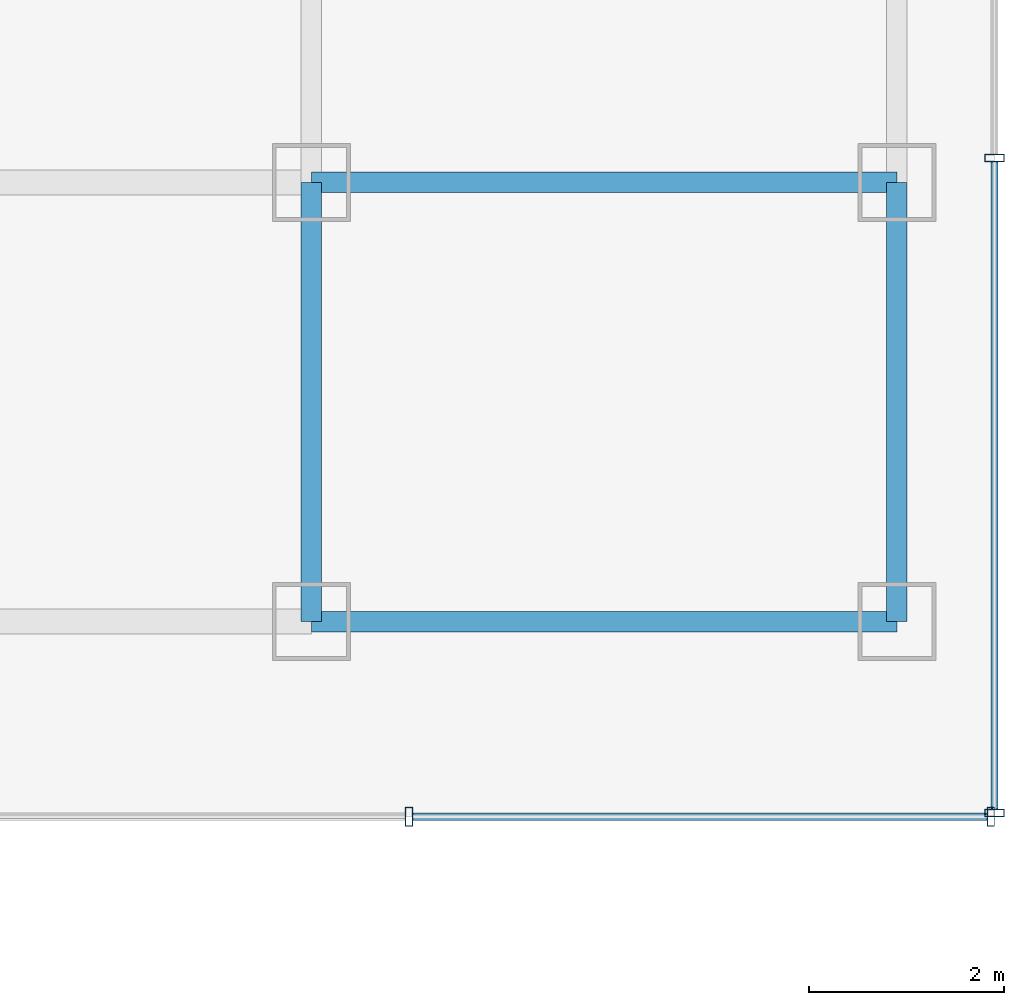
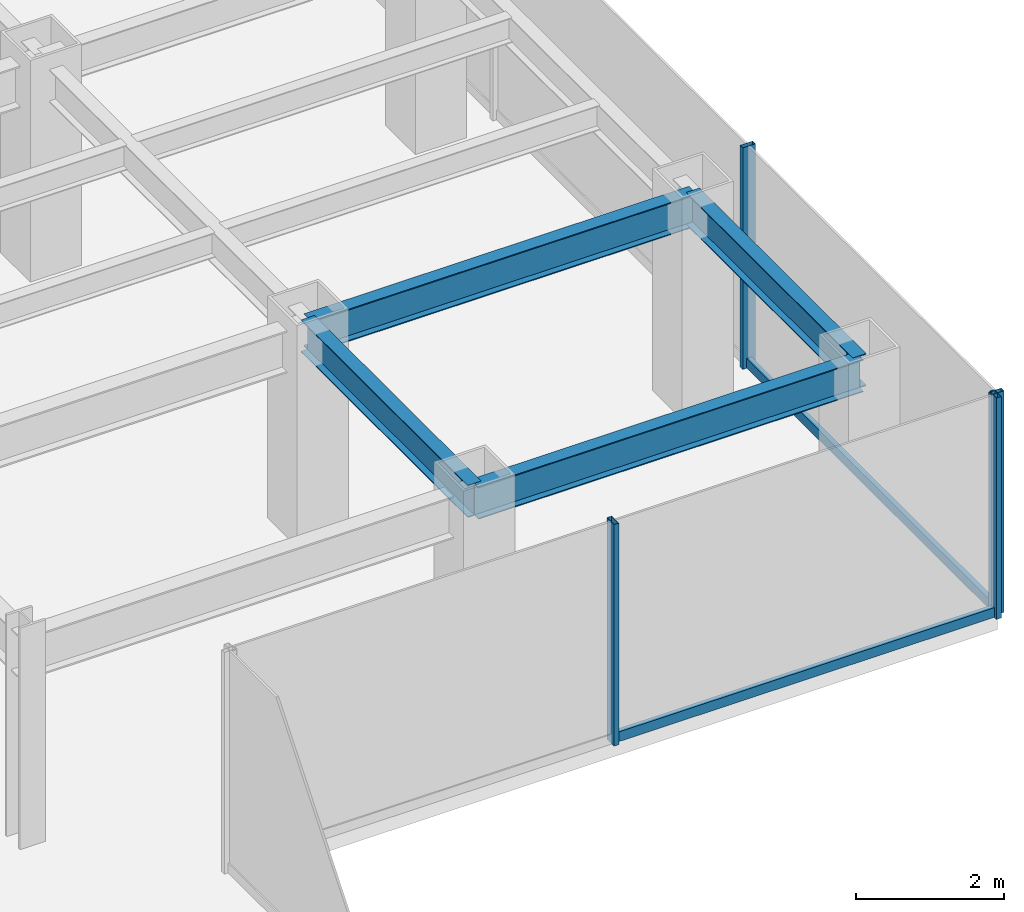
# One storey, part 10 of 26: 6 members, 4 beams, 2 elements without a shape of their own.
"""IFC4 building model written with IfcOpenShell, lengths in metres."""

from ifc_helpers import new_model, si_unit, derived_unit, direction, frame, origin, origin_2d, place, context, subcontext, project, spatial, hollow_rectangle, i_section, extrude, source, transform, mapped, material, material_profile, profile_set, type_object, element, aggregate, save


model = new_model("IFC4")

# Units and contexts
model_context = context("Model", 3, precision=1e-05, world=origin(), true_north=direction((0.0, 1.0)))
body_context = subcontext(model_context, "Body", "Model", "MODEL_VIEW")
ifc_project = project(units=[si_unit("LENGTHUNIT", "METRE"), si_unit("AREAUNIT", "SQUARE_METRE"), si_unit("VOLUMEUNIT", "CUBIC_METRE"), si_unit("PLANEANGLEUNIT", "RADIAN"), si_unit("MASSUNIT", "GRAM", prefix="KILO"), derived_unit("THERMALTRANSMITTANCEUNIT", [(si_unit("POWERUNIT", "WATT"), 1), (si_unit("LENGTHUNIT", "METRE"), -2), (si_unit("THERMODYNAMICTEMPERATUREUNIT", "KELVIN"), -1)])], contexts=[model_context])

# Site, building, storey
site_placement = place(None, origin())
site = spatial("IfcSite", under=ifc_project, at=site_placement, CompositionType="ELEMENT")
building_placement = place(site_placement, origin())
building = spatial("IfcBuilding", under=site, at=building_placement, Name="Skarnbrae Concourse Arena and Tower", CompositionType="ELEMENT")
storey_placement = place(building_placement, frame((0.0, 0.0, 103.25)))
storey = spatial("IfcBuildingStorey", under=building, at=storey_placement, Name="L25", CompositionType="ELEMENT", Elevation=103.25)

# Beams
ifc_material_1 = material(Name="Steel CSA G40.21 350W", Category="steel")
ifc_material_profile_1 = material_profile(ifc_material_1, i_section(OverallWidth=0.208984375, OverallDepth=0.532958984375, WebThickness=0.01025390625, FlangeThickness=0.015625, at=origin_2d()), Name="W530X92")
ifc_profile_set_1 = profile_set([ifc_material_profile_1], Name="Steel CSA G40.21 350W")
beam_type = type_object("IfcBeamType", Name="BM-SPAN-W530X92", PredefinedType="SPANDREL", material=ifc_profile_set_1)
shared_shape_1 = source(origin(), body_context, "Body", "SweptSolid", [
    extrude(i_section(OverallWidth=0.208984375, OverallDepth=0.532958984375, WebThickness=0.01025390625, FlangeThickness=0.015625, at=origin_2d()), origin(), (0.0, 0.0, 1.0), 6.0),
])
for number, where, z_axis, x_axis, name in (
    (1, (49.0, 9.5, 3.133544921875), (1.0, 0.0, 0.0), (0.0, 1.0, 0.0), "L25 Perimeter spandrel Y9.5-3"),
    (2, (49.0, 14.0, 3.133544921875), (1.0, 0.0, 0.0), (0.0, 1.0, 0.0), "L25 Perimeter spandrel Y14.0-8"),
):
    element("IfcBeam", number, at=place(storey_placement, frame(where, z_axis=z_axis, x_axis=x_axis)), inside=storey, type_object=beam_type, Name=name, PredefinedType="SPANDREL", context=body_context, shape_type="MappedRepresentation", body=[
        mapped(shared_shape_1, transform((0.0, 0.0, 0.0))),
    ])
shared_shape_2 = source(origin(), body_context, "Body", "SweptSolid", [
    extrude(i_section(OverallWidth=0.208984375, OverallDepth=0.532958984375, WebThickness=0.01025390625, FlangeThickness=0.015625, at=origin_2d()), origin(), (0.0, 0.0, 1.0), 4.5),
])
for number, where, z_axis, x_axis, name in (
    (3, (49.0, 9.5, 3.133544921875), (0.0, 1.0, 0.0), (-1.0, 0.0, 0.0), "L25 Perimeter spandrel X49.0-1"),
    (4, (55.0, 9.5, 3.133544921875), (0.0, 1.0, 0.0), (-1.0, 0.0, 0.0), "L25 Perimeter spandrel X55.0-1"),
):
    element("IfcBeam", number, at=place(storey_placement, frame(where, z_axis=z_axis, x_axis=x_axis)), inside=storey, type_object=beam_type, Name=name, PredefinedType="SPANDREL", context=body_context, shape_type="MappedRepresentation", body=[
        mapped(shared_shape_2, transform((0.0, 0.0, 0.0))),
    ])

# Curtain wall, members
ifc_material_2 = material(Name="Bronze anodised aluminium 6063-T6", Category="aluminium")
curtain_wall_type = type_object("IfcCurtainWallType", Name="CW-SYS-04-MIDZONE", PredefinedType="USERDEFINED", material=ifc_material_2)
curtain_wall_1_placement = place(storey_placement, origin())
curtain_wall_1 = element("IfcCurtainWall", 5, at=curtain_wall_1_placement, inside=storey, type_object=curtain_wall_type, Name="L25 Unitised curtain wall CW-L25-E03", ObjectType="UNITISED CURTAIN WALL", PredefinedType="USERDEFINED")
ifc_material_profile_2 = material_profile(ifc_material_2, hollow_rectangle(XDim=0.074951171875, YDim=0.159912109375, WallThickness=0.00439453125, at=origin_2d()), Name="ALU-TRAN-75X160")
ifc_profile_set_2 = profile_set([ifc_material_profile_2], Name="Bronze anodised aluminium 6063-T6")
member_type_1 = type_object("IfcMemberType", Name="CWT-CW-04", PredefinedType="USERDEFINED", material=ifc_profile_set_2)
shared_shape_3 = source(origin(), body_context, "Body", "SweptSolid", [
    extrude(hollow_rectangle(XDim=0.074951171875, YDim=0.159912109375, WallThickness=0.00439453125, at=origin_2d()), origin(), (0.0, 0.0, 1.0), 5.887451171875),
])
member_1_placement = place(storey_placement, frame((50.03759765625, 7.5, 0.080078125), z_axis=(1.0, 0.0, 0.0), x_axis=(0.0, 1.0, 0.0)))
member_1 = element("IfcMember", 6, at=member_1_placement, type_object=member_type_1, Name="CW-L25-E03 Transom 2", ObjectType="TRANSOM", PredefinedType="USERDEFINED", context=body_context, shape_type="MappedRepresentation", body=[
    mapped(shared_shape_3, transform((0.0, 0.0, 0.0))),
])
ifc_material_profile_3 = material_profile(ifc_material_2, hollow_rectangle(XDim=0.074951171875, YDim=0.195068359375, WallThickness=0.00439453125, at=origin_2d()), Name="ALU-MULL-75X195")
ifc_profile_set_3 = profile_set([ifc_material_profile_3], Name="Bronze anodised aluminium 6063-T6")
member_type_2 = type_object("IfcMemberType", Name="CWM-CW-04", PredefinedType="MULLION", material=ifc_profile_set_3)
shared_shape_4 = source(origin(), body_context, "Body", "SweptSolid", [
    extrude(hollow_rectangle(XDim=0.074951171875, YDim=0.195068359375, WallThickness=0.00439453125, at=origin_2d()), origin(), (0.0, 0.0, 1.0), 3.64990234375),
])
member_2_placement = place(storey_placement, frame((50.0, 7.5, 0.0), z_axis=(0.0, 0.0, 1.0), x_axis=(1.0, 0.0, 0.0)))
member_2 = element("IfcMember", 7, at=member_2_placement, type_object=member_type_2, Name="CW-L25-E03 Mullion 2", PredefinedType="MULLION", context=body_context, shape_type="MappedRepresentation", body=[
    mapped(shared_shape_4, transform((0.0, 0.0, 0.0))),
])
member_3_placement = place(storey_placement, frame((55.96240234375, 7.5, 0.0), z_axis=(0.0, 0.0, 1.0), x_axis=(1.0, 0.0, 0.0)))
member_3 = element("IfcMember", 8, at=member_3_placement, type_object=member_type_2, Name="CW-L25-E03 Mullion 3", PredefinedType="MULLION", context=body_context, shape_type="MappedRepresentation", body=[
    mapped(shared_shape_4, transform((0.0, 0.0, 0.0))),
])
aggregate(curtain_wall_1, [member_2, member_3, member_1])

curtain_wall_2_placement = place(storey_placement, origin())
curtain_wall_2 = element("IfcCurtainWall", 9, at=curtain_wall_2_placement, inside=storey, type_object=curtain_wall_type, Name="L25 Unitised curtain wall CW-L25-E04", ObjectType="UNITISED CURTAIN WALL", PredefinedType="USERDEFINED")
member_4_placement = place(storey_placement, frame((56.0, 7.53759765625, 0.0), z_axis=(0.0, 0.0, 1.0), x_axis=(0.0, 1.0, 0.0)))
member_4 = element("IfcMember", 10, at=member_4_placement, type_object=member_type_2, Name="CW-L25-E04 Mullion 1", PredefinedType="MULLION", context=body_context, shape_type="MappedRepresentation", body=[
    mapped(shared_shape_4, transform((0.0, 0.0, 0.0))),
])
member_5_placement = place(storey_placement, frame((56.0, 14.25, 0.0), z_axis=(0.0, 0.0, 1.0), x_axis=(0.0, 1.0, 0.0)))
member_5 = element("IfcMember", 11, at=member_5_placement, type_object=member_type_2, Name="CW-L25-E04 Mullion 2", PredefinedType="MULLION", context=body_context, shape_type="MappedRepresentation", body=[
    mapped(shared_shape_4, transform((0.0, 0.0, 0.0))),
])
shared_shape_5 = source(origin(), body_context, "Body", "SweptSolid", [
    extrude(hollow_rectangle(XDim=0.074951171875, YDim=0.159912109375, WallThickness=0.00439453125, at=origin_2d()), origin(), (0.0, 0.0, 1.0), 6.637451171875),
])
member_6_placement = place(storey_placement, frame((56.0, 7.574951171875, 0.080078125), z_axis=(0.0, 1.0, 0.0), x_axis=(-1.0, 0.0, 0.0)))
member_6 = element("IfcMember", 12, at=member_6_placement, type_object=member_type_1, Name="CW-L25-E04 Transom 1", ObjectType="TRANSOM", PredefinedType="USERDEFINED", context=body_context, shape_type="MappedRepresentation", body=[
    mapped(shared_shape_5, transform((0.0, 0.0, 0.0))),
])
aggregate(curtain_wall_2, [member_4, member_5, member_6])

save(model, "model.ifc")
